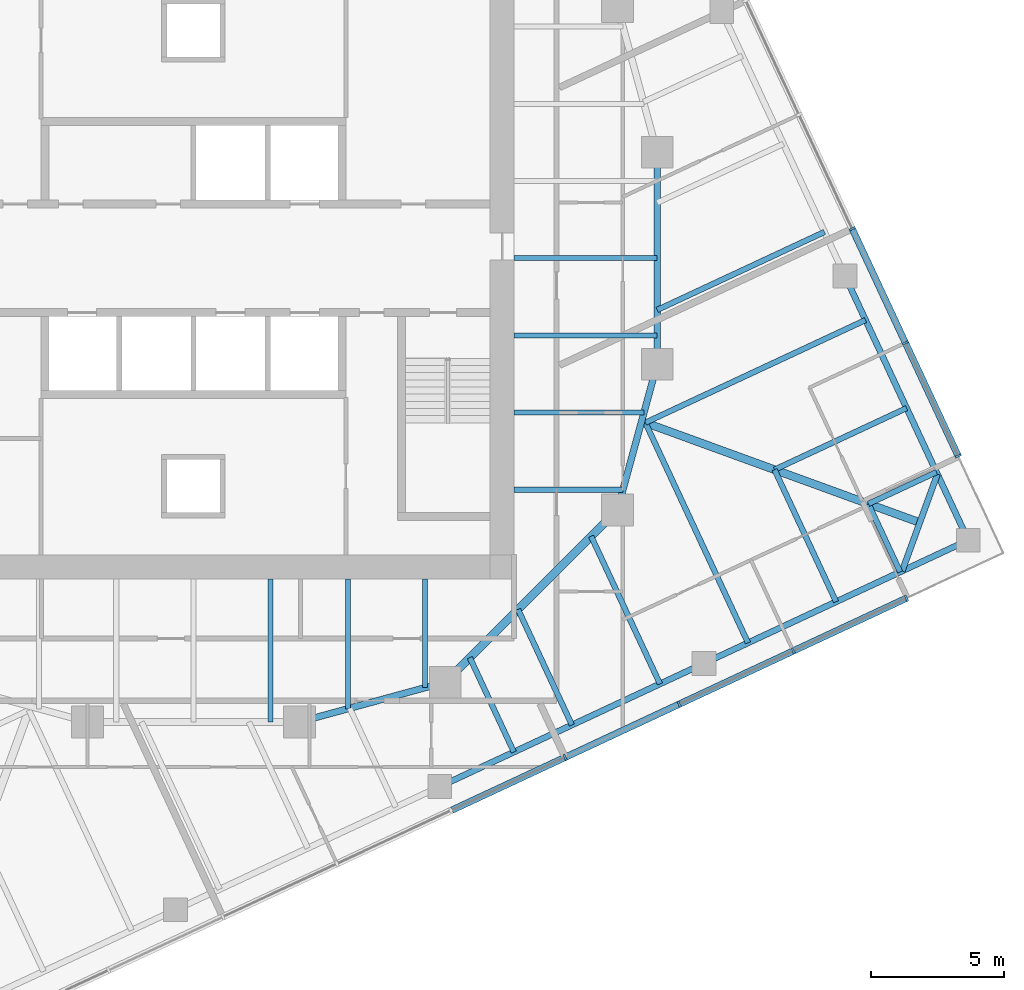
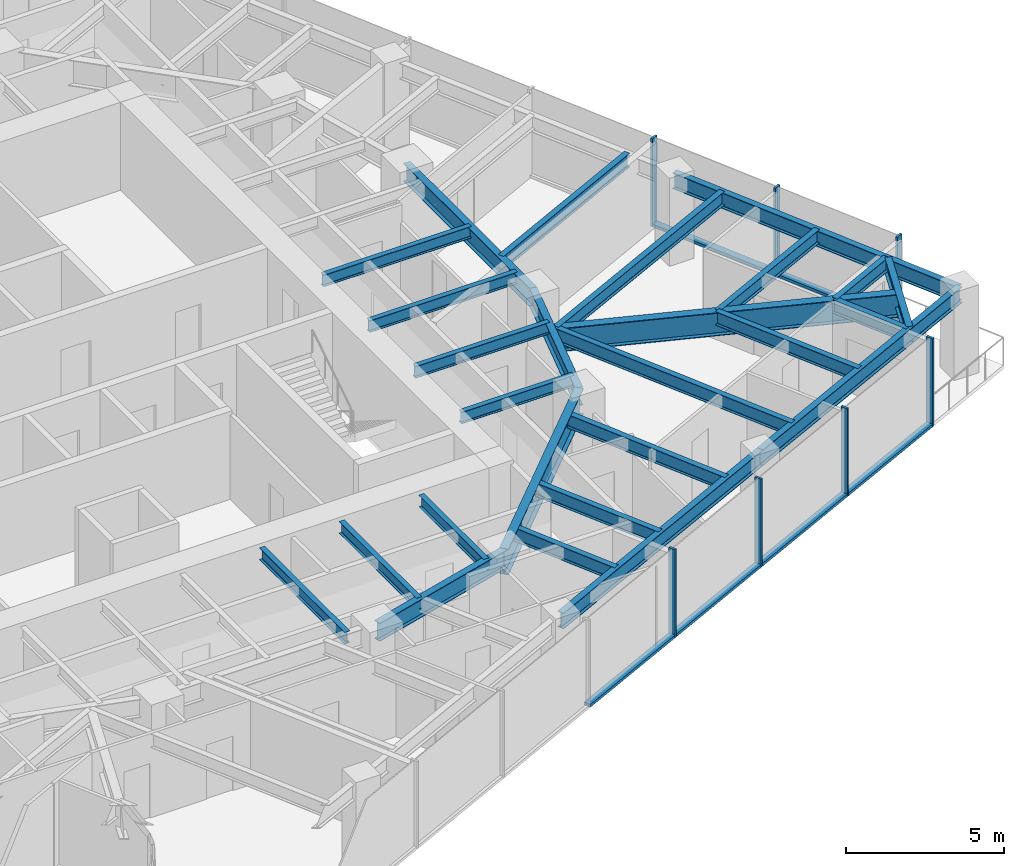
# One storey, part 3 of 12: 26 beams, 13 members, 2 elements without a shape of their own.
"""IFC4 building model written with IfcOpenShell, lengths in metres."""

from ifc_helpers import new_model, si_unit, direction, frame, origin, origin_2d, place, context, subcontext, project, spatial, rectangle, i_section, extrude, material, material_profile, profile_set, type_object, element, aggregate, save


model = new_model("IFC4")

# Units and contexts
model_context = context("Model", 3, precision=1e-05, world=origin(), true_north=direction((0.0, 1.0)))
body_context = subcontext(model_context, "Body", "Model", "MODEL_VIEW")
ifc_project = project(units=[si_unit("LENGTHUNIT", "METRE"), si_unit("AREAUNIT", "SQUARE_METRE"), si_unit("VOLUMEUNIT", "CUBIC_METRE"), si_unit("PLANEANGLEUNIT", "RADIAN"), si_unit("MASSUNIT", "GRAM", prefix="KILO")], contexts=[model_context])

# Site, building, storey
site_placement = place(None, origin())
site = spatial("IfcSite", under=ifc_project, at=site_placement, CompositionType="ELEMENT")
building_placement = place(site_placement, origin())
building = spatial("IfcBuilding", under=site, at=building_placement, Name="Torsade Residences", CompositionType="ELEMENT")
storey_placement = place(building_placement, frame((0.0, 0.0, 189.60009765625)))
storey = spatial("IfcBuildingStorey", under=building, at=storey_placement, Name="L52", CompositionType="ELEMENT", Elevation=189.60009765625)

# Beams
ifc_material_1 = material(Name="Steel grade 300", Category="steel")
ifc_material_profile_1 = material_profile(ifc_material_1, i_section(OverallWidth=0.300048828125, OverallDepth=0.89990234375, WebThickness=0.011962890625, FlangeThickness=0.02490234375, at=origin_2d()), Name="900WB175")
ifc_profile_set_1 = profile_set([ifc_material_profile_1], Name="Steel grade 300")
beam_type_1 = type_object("IfcBeamType", Name="CORNER GIRDER 900WB175", PredefinedType="BEAM", material=ifc_profile_set_1)
beam_1_placement = place(storey_placement, frame((67.4091796875, 20.02392578125, 2.7998046875), z_axis=(-0.93969447651, 0.342015044723, 0.0), x_axis=(-0.342015044723, -0.93969447651, 0.0)))
element("IfcBeam", 1, at=beam_1_placement, inside=storey, type_object=beam_type_1, Name="Corner girder 05 L53", PredefinedType="BEAM", context=body_context, shape_type="SweptSolid", body=[
    extrude(i_section(OverallWidth=0.300048828125, OverallDepth=0.89990234375, WebThickness=0.011962890625, FlangeThickness=0.02490234375, at=origin_2d()), origin(), (0.0, 0.0, 1.0), 11.170654296875),
])
ifc_material_2 = material(Name="Steel grade 300", Category="steel")
ifc_material_profile_2 = material_profile(ifc_material_2, i_section(OverallWidth=0.22802734375, OverallDepth=0.60205078125, WebThickness=0.010498046875, FlangeThickness=0.014892578125, FilletRadius=0.013916015625, at=origin_2d()), Name="610UB101")
ifc_profile_set_2 = profile_set([ifc_material_profile_2], Name="Steel grade 300")
beam_type_2 = type_object("IfcBeamType", Name="CORNER TRIMMER 610UB101", PredefinedType="BEAM", material=ifc_profile_set_2)
beam_2_placement = place(storey_placement, frame((68.07421875, 21.85107421875, 2.948974609375), z_axis=(-0.342005152204, -0.939698076972, 0.0), x_axis=(0.939698076972, -0.342005152204, 0.0)))
element("IfcBeam", 2, at=beam_2_placement, inside=storey, type_object=beam_type_2, Name="Corner trimmer 05 L53", PredefinedType="BEAM", context=body_context, shape_type="SweptSolid", body=[
    extrude(i_section(OverallWidth=0.22802734375, OverallDepth=0.60205078125, WebThickness=0.010498046875, FlangeThickness=0.014892578125, FilletRadius=0.013916015625, at=origin_2d()), origin(), (0.0, 0.0, 1.0), 3.88916015625),
])
ifc_material_3 = material(Name="Steel grade 300", Category="steel")
ifc_material_profile_3 = material_profile(ifc_material_3, i_section(OverallWidth=0.22900390625, OverallDepth=0.612060546875, WebThickness=0.011962890625, FlangeThickness=0.01953125, FilletRadius=0.013916015625, at=origin_2d()), Name="610UB125")
ifc_profile_set_3 = profile_set([ifc_material_profile_3], Name="Steel grade 300")
beam_type_3 = type_object("IfcBeamType", Name="EDGE BEAM 610UB125", PredefinedType="SPANDREL", material=ifc_profile_set_3)
for number, where, z_axis, x_axis, name in (
    (3, (49.297607421875, 10.061279296875, 2.94384765625), (0.906313510001, 0.422605988587, 0.0), (-0.422605988587, 0.906313510001, 0.0), "Edge beam 03 L53"),
    (4, (59.26708984375, 14.7099609375, 2.94384765625), (0.90630104482, 0.422632720171, 0.0), (-0.422632720171, 0.90630104482, 0.0), "Edge beam 04 L53"),
):
    element("IfcBeam", number, at=place(storey_placement, frame(where, z_axis=z_axis, x_axis=x_axis)), inside=storey, type_object=beam_type_3, Name=name, PredefinedType="SPANDREL", context=body_context, shape_type="SweptSolid", body=[
        extrude(i_section(OverallWidth=0.22900390625, OverallDepth=0.612060546875, WebThickness=0.011962890625, FlangeThickness=0.01953125, FilletRadius=0.013916015625, at=origin_2d()), origin(), (0.0, 0.0, 1.0), 11.0),
    ])
beam_3_placement = place(storey_placement, frame((69.236328125, 19.35888671875, 2.94384765625), z_axis=(-0.422614489543, 0.906309546032, 0.0), x_axis=(-0.906309546032, -0.422614489543, 0.0)))
element("IfcBeam", 5, at=beam_3_placement, inside=storey, type_object=beam_type_3, Name="Edge beam 05 L53", PredefinedType="SPANDREL", context=body_context, shape_type="SweptSolid", body=[
    extrude(i_section(OverallWidth=0.22900390625, OverallDepth=0.612060546875, WebThickness=0.011962890625, FlangeThickness=0.01953125, FilletRadius=0.013916015625, at=origin_2d()), origin(), (0.0, 0.0, 1.0), 10.999755859375),
])
ifc_material_4 = material(Name="Steel grade 300", Category="steel")
ifc_material_profile_4 = material_profile(ifc_material_4, i_section(OverallWidth=0.18994140625, OverallDepth=0.4541015625, WebThickness=0.008544921875, FlangeThickness=0.0126953125, FilletRadius=0.011474609375, at=origin_2d()), Name="460UB67.1")
ifc_profile_set_4 = profile_set([ifc_material_profile_4], Name="Steel grade 300")
beam_type_4 = type_object("IfcBeamType", Name="INNER FLOOR BEAM 460UB67.1", PredefinedType="JOIST", material=ifc_profile_set_4)
beam_4_placement = place(storey_placement, frame((48.737548828125, 17.89990234375, 3.02294921875), z_axis=(0.0, -1.0, 0.0), x_axis=(1.0, 0.0, 0.0)))
element("IfcBeam", 6, at=beam_4_placement, inside=storey, type_object=beam_type_4, Name="Inner floor beam IS01 L53", PredefinedType="JOIST", context=body_context, shape_type="SweptSolid", body=[
    extrude(i_section(OverallWidth=0.18994140625, OverallDepth=0.4541015625, WebThickness=0.008544921875, FlangeThickness=0.0126953125, FilletRadius=0.011474609375, at=origin_2d()), origin(), (0.0, 0.0, 1.0), 4.10791015625),
])
beam_5_placement = place(storey_placement, frame((45.824951171875, 17.89990234375, 3.02294921875), z_axis=(0.0, -1.0, 0.0), x_axis=(1.0, 0.0, 0.0)))
element("IfcBeam", 7, at=beam_5_placement, inside=storey, type_object=beam_type_4, Name="Inner floor beam IS02 L53", PredefinedType="JOIST", context=body_context, shape_type="SweptSolid", body=[
    extrude(i_section(OverallWidth=0.18994140625, OverallDepth=0.4541015625, WebThickness=0.008544921875, FlangeThickness=0.0126953125, FilletRadius=0.011474609375, at=origin_2d()), origin(), (0.0, 0.0, 1.0), 4.902099609375),
])
beam_6_placement = place(storey_placement, frame((42.91259765625, 17.89990234375, 3.02294921875), z_axis=(0.0, -1.0, 0.0), x_axis=(1.0, 0.0, 0.0)))
element("IfcBeam", 8, at=beam_6_placement, inside=storey, type_object=beam_type_4, Name="Inner floor beam IS03 L53", PredefinedType="JOIST", context=body_context, shape_type="SweptSolid", body=[
    extrude(i_section(OverallWidth=0.18994140625, OverallDepth=0.4541015625, WebThickness=0.008544921875, FlangeThickness=0.0126953125, FilletRadius=0.011474609375, at=origin_2d()), origin(), (0.0, 0.0, 1.0), 5.39990234375),
])
beam_7_placement = place(storey_placement, frame((52.10009765625, 21.262451171875, 3.02294921875), z_axis=(1.0, 0.0, 0.0), x_axis=(0.0, 1.0, 0.0)))
element("IfcBeam", 9, at=beam_7_placement, inside=storey, type_object=beam_type_4, Name="Inner floor beam IE01 L53", PredefinedType="JOIST", context=body_context, shape_type="SweptSolid", body=[
    extrude(i_section(OverallWidth=0.18994140625, OverallDepth=0.4541015625, WebThickness=0.008544921875, FlangeThickness=0.0126953125, FilletRadius=0.011474609375, at=origin_2d()), origin(), (0.0, 0.0, 1.0), 4.10791015625),
])
beam_8_placement = place(storey_placement, frame((52.10009765625, 24.175048828125, 3.02294921875), z_axis=(1.0, 0.0, 0.0), x_axis=(0.0, 1.0, 0.0)))
element("IfcBeam", 10, at=beam_8_placement, inside=storey, type_object=beam_type_4, Name="Inner floor beam IE02 L53", PredefinedType="JOIST", context=body_context, shape_type="SweptSolid", body=[
    extrude(i_section(OverallWidth=0.18994140625, OverallDepth=0.4541015625, WebThickness=0.008544921875, FlangeThickness=0.0126953125, FilletRadius=0.011474609375, at=origin_2d()), origin(), (0.0, 0.0, 1.0), 4.902099609375),
])
for number, where, z_axis, x_axis, name in (
    (11, (52.10009765625, 27.08740234375, 3.02294921875), (1.0, 0.0, 0.0), (0.0, 1.0, 0.0), "Inner floor beam IE03 L53"),
    (12, (52.10009765625, 30.0, 3.02294921875), (1.0, 0.0, 0.0), (0.0, 1.0, 0.0), "Inner floor beam IE04 L53"),
):
    element("IfcBeam", number, at=place(storey_placement, frame(where, z_axis=z_axis, x_axis=x_axis)), inside=storey, type_object=beam_type_4, Name=name, PredefinedType="JOIST", context=body_context, shape_type="SweptSolid", body=[
        extrude(i_section(OverallWidth=0.18994140625, OverallDepth=0.4541015625, WebThickness=0.008544921875, FlangeThickness=0.0126953125, FilletRadius=0.011474609375, at=origin_2d()), origin(), (0.0, 0.0, 1.0), 5.39990234375),
    ])

# Curtain wall, members
ifc_material_5 = material(Name="Aluminium and glass", Category="aluminium")
curtain_wall_type = type_object("IfcCurtainWallType", Name="FRITTED GLASS CURTAIN WALL MID ZONE", PredefinedType="NOTDEFINED", material=ifc_material_5)
curtain_wall_1_placement = place(storey_placement, origin())
curtain_wall_1 = element("IfcCurtainWall", 13, at=curtain_wall_1_placement, inside=storey, type_object=curtain_wall_type, Name="Curtain wall L52 face 1", PredefinedType="NOTDEFINED")
ifc_material_6 = material(Name="Aluminium mullion", Category="aluminium")
ifc_material_profile_5 = material_profile(ifc_material_6, rectangle(XDim=0.25, YDim=0.080078125, at=origin_2d()), Name="MID ZONE CURTAIN WALL MULLION 250x80")
ifc_profile_set_5 = profile_set([ifc_material_profile_5], Name="Aluminium mullion")
member_type_1 = type_object("IfcMemberType", Name="MID ZONE CURTAIN WALL MULLION 250x80", PredefinedType="MULLION", material=ifc_profile_set_5)
member_1_placement = place(storey_placement, frame((54.025146484375, 11.162353515625, 0.0), z_axis=(0.0, 0.0, 1.0), x_axis=(-0.422618261978, 0.906307786926, 0.0)))
member_1 = element("IfcMember", 14, at=member_1_placement, type_object=member_type_1, Name="Mullion 6", PredefinedType="MULLION", context=body_context, shape_type="SweptSolid", body=[
    extrude(rectangle(XDim=0.25, YDim=0.080078125, at=origin_2d()), origin(), (0.0, 0.0, 1.0), 3.39990234375),
])
member_2_placement = place(storey_placement, frame((58.330078125, 13.169677734375, 0.0), z_axis=(0.0, 0.0, 1.0), x_axis=(-0.422618261978, 0.906307786926, 0.0)))
member_2 = element("IfcMember", 15, at=member_2_placement, type_object=member_type_1, Name="Mullion 7", PredefinedType="MULLION", context=body_context, shape_type="SweptSolid", body=[
    extrude(rectangle(XDim=0.25, YDim=0.080078125, at=origin_2d()), origin(), (0.0, 0.0, 1.0), 3.39990234375),
])
member_3_placement = place(storey_placement, frame((62.635009765625, 15.17724609375, 0.0), z_axis=(0.0, 0.0, 1.0), x_axis=(-0.422618261978, 0.906307786926, 0.0)))
member_3 = element("IfcMember", 16, at=member_3_placement, type_object=member_type_1, Name="Mullion 8", PredefinedType="MULLION", context=body_context, shape_type="SweptSolid", body=[
    extrude(rectangle(XDim=0.25, YDim=0.080078125, at=origin_2d()), origin(), (0.0, 0.0, 1.0), 3.39990234375),
])
member_4_placement = place(storey_placement, frame((66.90380859375, 17.167724609375, 0.0), z_axis=(0.0, 0.0, 1.0), x_axis=(-0.422618261978, 0.906307786926, 0.0)))
member_4 = element("IfcMember", 17, at=member_4_placement, type_object=member_type_1, Name="Mullion 9", PredefinedType="MULLION", context=body_context, shape_type="SweptSolid", body=[
    extrude(rectangle(XDim=0.25, YDim=0.080078125, at=origin_2d()), origin(), (0.0, 0.0, 1.0), 3.39990234375),
])

curtain_wall_2_placement = place(storey_placement, origin())
curtain_wall_2 = element("IfcCurtainWall", 18, at=curtain_wall_2_placement, inside=storey, type_object=curtain_wall_type, Name="Curtain wall L52 face 4", PredefinedType="NOTDEFINED")
member_5_placement = place(storey_placement, frame((68.85791015625, 22.53662109375, 0.0), z_axis=(0.0, 0.0, 1.0), x_axis=(-0.906307786926, -0.422618261978, 0.0)))
member_5 = element("IfcMember", 19, at=member_5_placement, type_object=member_type_1, Name="Mullion 1", PredefinedType="MULLION", context=body_context, shape_type="SweptSolid", body=[
    extrude(rectangle(XDim=0.25, YDim=0.080078125, at=origin_2d()), origin(), (0.0, 0.0, 1.0), 3.39990234375),
])
member_6_placement = place(storey_placement, frame((66.867431640625, 26.805419921875, 0.0), z_axis=(0.0, 0.0, 1.0), x_axis=(-0.906307786926, -0.422618261978, 0.0)))
member_6 = element("IfcMember", 20, at=member_6_placement, type_object=member_type_1, Name="Mullion 2", PredefinedType="MULLION", context=body_context, shape_type="SweptSolid", body=[
    extrude(rectangle(XDim=0.25, YDim=0.080078125, at=origin_2d()), origin(), (0.0, 0.0, 1.0), 3.39990234375),
])
member_7_placement = place(storey_placement, frame((64.85986328125, 31.1103515625, 0.0), z_axis=(0.0, 0.0, 1.0), x_axis=(-0.906307786926, -0.422618261978, 0.0)))
member_7 = element("IfcMember", 21, at=member_7_placement, type_object=member_type_1, Name="Mullion 3", PredefinedType="MULLION", context=body_context, shape_type="SweptSolid", body=[
    extrude(rectangle(XDim=0.25, YDim=0.080078125, at=origin_2d()), origin(), (0.0, 0.0, 1.0), 3.39990234375),
])

# Member
ifc_material_7 = material(Name="Aluminium transom", Category="aluminium")
ifc_material_profile_6 = material_profile(ifc_material_7, rectangle(XDim=0.25, YDim=0.110107421875, at=origin_2d()), Name="MID ZONE CURTAIN WALL TRANSOM 250x110")
ifc_profile_set_6 = profile_set([ifc_material_profile_6], Name="Aluminium transom")
member_type_2 = type_object("IfcMemberType", Name="MID ZONE CURTAIN WALL TRANSOM 250x110", PredefinedType="USERDEFINED", material=ifc_profile_set_6)
member_8_placement = place(storey_placement, frame((49.756591796875, 9.171875, 0.054931640625), z_axis=(0.906305976097, 0.422622145291, 0.0), x_axis=(-0.422622145291, 0.906305976097, 0.0)))
member_8 = element("IfcMember", 22, at=member_8_placement, type_object=member_type_2, Name="Transom 5.1", ObjectType="TRANSOM", PredefinedType="USERDEFINED", context=body_context, shape_type="SweptSolid", body=[
    extrude(rectangle(XDim=0.25, YDim=0.110107421875, at=origin_2d()), origin(), (0.0, 0.0, 1.0), 4.669921875),
])

member_9_placement = place(storey_placement, frame((54.0615234375, 11.17919921875, 0.054931640625), z_axis=(0.906305976097, 0.422622145291, 0.0), x_axis=(-0.422622145291, 0.906305976097, 0.0)))
member_9 = element("IfcMember", 23, at=member_9_placement, type_object=member_type_2, Name="Transom 6.1", ObjectType="TRANSOM", PredefinedType="USERDEFINED", context=body_context, shape_type="SweptSolid", body=[
    extrude(rectangle(XDim=0.25, YDim=0.110107421875, at=origin_2d()), origin(), (0.0, 0.0, 1.0), 4.669921875),
])

member_10_placement = place(storey_placement, frame((58.366455078125, 13.186767578125, 0.054931640625), z_axis=(0.906305976097, 0.422622145291, 0.0), x_axis=(-0.422622145291, 0.906305976097, 0.0)))
member_10 = element("IfcMember", 24, at=member_10_placement, type_object=member_type_2, Name="Transom 7.1", ObjectType="TRANSOM", PredefinedType="USERDEFINED", context=body_context, shape_type="SweptSolid", body=[
    extrude(rectangle(XDim=0.25, YDim=0.110107421875, at=origin_2d()), origin(), (0.0, 0.0, 1.0), 4.669921875),
])

member_11_placement = place(storey_placement, frame((62.67138671875, 15.194091796875, 0.054931640625), z_axis=(0.906305687176, 0.422622764878, 0.0), x_axis=(-0.422622764878, 0.906305687176, 0.0)))
member_11 = element("IfcMember", 25, at=member_11_placement, type_object=member_type_2, Name="Transom 8.1", ObjectType="TRANSOM", PredefinedType="USERDEFINED", context=body_context, shape_type="SweptSolid", body=[
    extrude(rectangle(XDim=0.25, YDim=0.110107421875, at=origin_2d()), origin(), (0.0, 0.0, 1.0), 4.630126953125),
])

aggregate(curtain_wall_1, [member_1, member_2, member_3, member_4, member_8, member_9, member_10, member_11])

member_12_placement = place(storey_placement, frame((68.841064453125, 22.572998046875, 0.054931640625), z_axis=(-0.422642962277, 0.906296268578, 0.0), x_axis=(-0.906296268578, -0.422642962277, 0.0)))
member_12 = element("IfcMember", 26, at=member_12_placement, type_object=member_type_2, Name="Transom 1.1", ObjectType="TRANSOM", PredefinedType="USERDEFINED", context=body_context, shape_type="SweptSolid", body=[
    extrude(rectangle(XDim=0.25, YDim=0.110107421875, at=origin_2d()), origin(), (0.0, 0.0, 1.0), 4.6298828125),
])

member_13_placement = place(storey_placement, frame((66.8505859375, 26.841552734375, 0.054931640625), z_axis=(-0.422622145291, 0.906305976097, 0.0), x_axis=(-0.906305976097, -0.422622145291, 0.0)))
member_13 = element("IfcMember", 27, at=member_13_placement, type_object=member_type_2, Name="Transom 2.1", ObjectType="TRANSOM", PredefinedType="USERDEFINED", context=body_context, shape_type="SweptSolid", body=[
    extrude(rectangle(XDim=0.25, YDim=0.110107421875, at=origin_2d()), origin(), (0.0, 0.0, 1.0), 4.669921875),
])

aggregate(curtain_wall_2, [member_5, member_6, member_7, member_12, member_13])

# Beams
ifc_material_8 = material(Name="Steel grade 300", Category="steel")
ifc_material_profile_7 = material_profile(ifc_material_8, i_section(OverallWidth=0.300048828125, OverallDepth=1.0, WebThickness=0.01611328125, FlangeThickness=0.028076171875, at=origin_2d()), Name="1000WB215")
ifc_profile_set_7 = profile_set([ifc_material_profile_7], Name="Steel grade 300")
beam_type_5 = type_object("IfcBeamType", Name="RING CORNER GIRDER 1000WB215", PredefinedType="BEAM", material=ifc_profile_set_7)
beam_9_placement = place(storey_placement, frame((49.5, 14.0, 2.75), z_axis=(0.707106781187, 0.707106781187, 0.0), x_axis=(-0.707106781187, 0.707106781187, 0.0)))
element("IfcBeam", 28, at=beam_9_placement, inside=storey, type_object=beam_type_5, Name="Ring girder IR15 L53", PredefinedType="BEAM", context=body_context, shape_type="SweptSolid", body=[
    extrude(i_section(OverallWidth=0.300048828125, OverallDepth=1.0, WebThickness=0.01611328125, FlangeThickness=0.028076171875, at=origin_2d()), origin(), (0.0, 0.0, 1.0), 9.1923828125),
])
ifc_material_9 = material(Name="Steel grade 300", Category="steel")
ifc_material_profile_8 = material_profile(ifc_material_9, i_section(OverallWidth=0.25, OverallDepth=0.699951171875, WebThickness=0.010009765625, FlangeThickness=0.02001953125, at=origin_2d()), Name="700WB130")
ifc_profile_set_8 = profile_set([ifc_material_profile_8], Name="Steel grade 300")
beam_type_6 = type_object("IfcBeamType", Name="RING GIRDER 700WB130", PredefinedType="BEAM", material=ifc_profile_set_8)
beam_10_placement = place(storey_placement, frame((57.5, 26.0, 2.89990234375), z_axis=(0.0, 1.0, 0.0), x_axis=(-1.0, 0.0, 0.0)))
element("IfcBeam", 29, at=beam_10_placement, inside=storey, type_object=beam_type_6, Name="Ring girder IR01 L53", PredefinedType="BEAM", context=body_context, shape_type="SweptSolid", body=[
    extrude(i_section(OverallWidth=0.25, OverallDepth=0.699951171875, WebThickness=0.010009765625, FlangeThickness=0.02001953125, at=origin_2d()), origin(), (0.0, 0.0, 1.0), 8.0),
])
for number, where, z_axis, x_axis, name in (
    (30, (44.0, 12.5, 2.89990234375), (0.964763821238, 0.263117405792, 0.0), (-0.263117405792, 0.964763821238, 0.0), "Ring girder IR14 L53"),
    (31, (56.0, 20.5, 2.89990234375), (0.263117405792, 0.964763821238, 0.0), (-0.964763821238, 0.263117405792, 0.0), "Ring girder IR16 L53"),
):
    element("IfcBeam", number, at=place(storey_placement, frame(where, z_axis=z_axis, x_axis=x_axis)), inside=storey, type_object=beam_type_6, Name=name, PredefinedType="BEAM", context=body_context, shape_type="SweptSolid", body=[
        extrude(i_section(OverallWidth=0.25, OverallDepth=0.699951171875, WebThickness=0.010009765625, FlangeThickness=0.02001953125, at=origin_2d()), origin(), (0.0, 0.0, 1.0), 5.700927734375),
    ])
ifc_material_10 = material(Name="Steel grade 300", Category="steel")
ifc_material_profile_9 = material_profile(ifc_material_10, i_section(OverallWidth=0.208984375, OverallDepth=0.528076171875, WebThickness=0.009521484375, FlangeThickness=0.01318359375, FilletRadius=0.013916015625, at=origin_2d()), Name="530UB82.0")
ifc_profile_set_9 = profile_set([ifc_material_profile_9], Name="Steel grade 300")
beam_type_7 = type_object("IfcBeamType", Name="SECONDARY BEAM 530UB82.0", PredefinedType="JOIST", material=ifc_profile_set_9)
beam_11_placement = place(storey_placement, frame((52.092041015625, 11.3642578125, 2.98583984375), z_axis=(-0.422644222818, 0.906295680735, 0.0), x_axis=(-0.906295680735, -0.422644222818, 0.0)))
element("IfcBeam", 32, at=beam_11_placement, inside=storey, type_object=beam_type_7, Name="Floor beam FS07 L53", PredefinedType="JOIST", context=body_context, shape_type="SweptSolid", body=[
    extrude(i_section(OverallWidth=0.208984375, OverallDepth=0.528076171875, WebThickness=0.009521484375, FlangeThickness=0.01318359375, FilletRadius=0.013916015625, at=origin_2d()), origin(), (0.0, 0.0, 1.0), 3.933837890625),
])
beam_12_placement = place(storey_placement, frame((54.2822265625, 12.3857421875, 2.98583984375), z_axis=(-0.422618876857, 0.906307500203, 0.0), x_axis=(-0.906307500203, -0.422618876857, 0.0)))
element("IfcBeam", 33, at=beam_12_placement, inside=storey, type_object=beam_type_7, Name="Floor beam FS08 L53", PredefinedType="JOIST", context=body_context, shape_type="SweptSolid", body=[
    extrude(i_section(OverallWidth=0.208984375, OverallDepth=0.528076171875, WebThickness=0.009521484375, FlangeThickness=0.01318359375, FilletRadius=0.013916015625, at=origin_2d()), origin(), (0.0, 0.0, 1.0), 4.813232421875),
])
beam_13_placement = place(storey_placement, frame((57.60546875, 13.935302734375, 2.98583984375), z_axis=(-0.42264848683, 0.906293692233, 0.0), x_axis=(-0.906293692233, -0.42264848683, 0.0)))
element("IfcBeam", 34, at=beam_13_placement, inside=storey, type_object=beam_type_7, Name="Floor beam FS09 L53", PredefinedType="JOIST", context=body_context, shape_type="SweptSolid", body=[
    extrude(i_section(OverallWidth=0.208984375, OverallDepth=0.528076171875, WebThickness=0.009521484375, FlangeThickness=0.01318359375, FilletRadius=0.013916015625, at=origin_2d()), origin(), (0.0, 0.0, 1.0), 6.14794921875),
])
beam_14_placement = place(storey_placement, frame((60.928466796875, 15.48486328125, 2.98583984375), z_axis=(-0.422618627092, 0.90630761667, 0.0), x_axis=(-0.90630761667, -0.422618627092, 0.0)))
element("IfcBeam", 35, at=beam_14_placement, inside=storey, type_object=beam_type_7, Name="Floor beam FS10 L53", PredefinedType="JOIST", context=body_context, shape_type="SweptSolid", body=[
    extrude(i_section(OverallWidth=0.208984375, OverallDepth=0.528076171875, WebThickness=0.009521484375, FlangeThickness=0.01318359375, FilletRadius=0.013916015625, at=origin_2d()), origin(), (0.0, 0.0, 1.0), 9.166748046875),
])
beam_15_placement = place(storey_placement, frame((64.251708984375, 17.034423828125, 2.98583984375), z_axis=(-0.422632720171, 0.90630104482, 0.0), x_axis=(-0.90630104482, -0.422632720171, 0.0)))
element("IfcBeam", 36, at=beam_15_placement, inside=storey, type_object=beam_type_7, Name="Floor beam FS11 L53", PredefinedType="JOIST", context=body_context, shape_type="SweptSolid", body=[
    extrude(i_section(OverallWidth=0.208984375, OverallDepth=0.528076171875, WebThickness=0.009521484375, FlangeThickness=0.01318359375, FilletRadius=0.013916015625, at=origin_2d()), origin(), (0.0, 0.0, 1.0), 5.5),
])
for number, where, z_axis, x_axis, name in (
    (37, (66.66845703125, 18.161376953125, 2.98583984375), (-0.42257409885, 0.906328379221, 0.0), (-0.906328379221, -0.42257409885, 0.0), "Floor beam FS12 L53"),
    (38, (68.0390625, 21.9267578125, 2.98583984375), (-0.906295375613, -0.422644877104, 0.0), (0.422644877104, -0.906295375613, 0.0), "Floor beam FE01 L53"),
):
    element("IfcBeam", number, at=place(storey_placement, frame(where, z_axis=z_axis, x_axis=x_axis)), inside=storey, type_object=beam_type_7, Name=name, PredefinedType="JOIST", context=body_context, shape_type="SweptSolid", body=[
        extrude(i_section(OverallWidth=0.208984375, OverallDepth=0.528076171875, WebThickness=0.009521484375, FlangeThickness=0.01318359375, FilletRadius=0.013916015625, at=origin_2d()), origin(), (0.0, 0.0, 1.0), 2.833251953125),
    ])
beam_16_placement = place(storey_placement, frame((66.911865234375, 24.343505859375, 2.98583984375), z_axis=(-0.90630104482, -0.422632720171, 0.0), x_axis=(0.422632720171, -0.90630104482, 0.0)))
element("IfcBeam", 39, at=beam_16_placement, inside=storey, type_object=beam_type_7, Name="Floor beam FE02 L53", PredefinedType="JOIST", context=body_context, shape_type="SweptSolid", body=[
    extrude(i_section(OverallWidth=0.208984375, OverallDepth=0.528076171875, WebThickness=0.009521484375, FlangeThickness=0.01318359375, FilletRadius=0.013916015625, at=origin_2d()), origin(), (0.0, 0.0, 1.0), 5.5),
])
beam_17_placement = place(storey_placement, frame((65.3623046875, 27.666748046875, 2.98583984375), z_axis=(-0.90630761667, -0.422618627092, 0.0), x_axis=(0.422618627092, -0.90630761667, 0.0)))
element("IfcBeam", 40, at=beam_17_placement, inside=storey, type_object=beam_type_7, Name="Floor beam FE03 L53", PredefinedType="JOIST", context=body_context, shape_type="SweptSolid", body=[
    extrude(i_section(OverallWidth=0.208984375, OverallDepth=0.528076171875, WebThickness=0.009521484375, FlangeThickness=0.01318359375, FilletRadius=0.013916015625, at=origin_2d()), origin(), (0.0, 0.0, 1.0), 9.166748046875),
])
beam_18_placement = place(storey_placement, frame((63.812744140625, 30.98974609375, 2.98583984375), z_axis=(-0.906312044376, -0.422609131726, 0.0), x_axis=(0.422609131726, -0.906312044376, 0.0)))
element("IfcBeam", 41, at=beam_18_placement, inside=storey, type_object=beam_type_7, Name="Floor beam FE04 L53", PredefinedType="JOIST", context=body_context, shape_type="SweptSolid", body=[
    extrude(i_section(OverallWidth=0.208984375, OverallDepth=0.528076171875, WebThickness=0.009521484375, FlangeThickness=0.01318359375, FilletRadius=0.013916015625, at=origin_2d()), origin(), (0.0, 0.0, 1.0), 6.96533203125),
])

save(model, "model.ifc")
